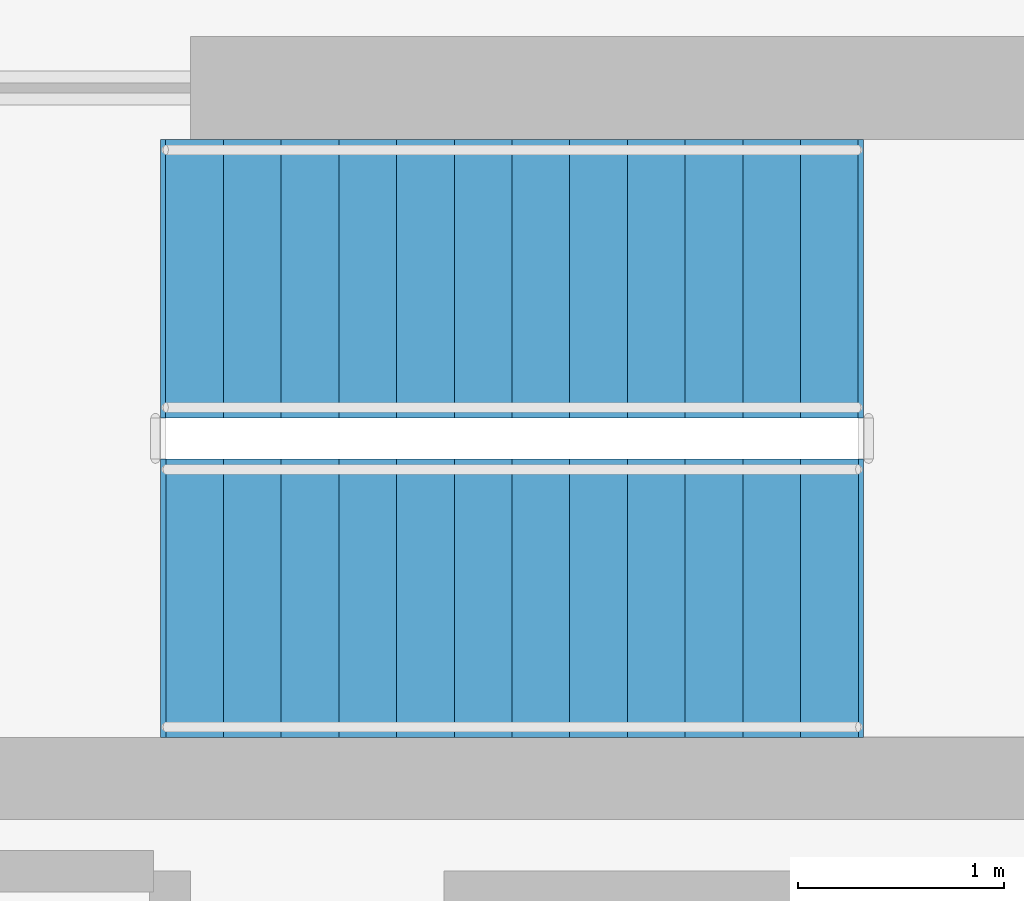
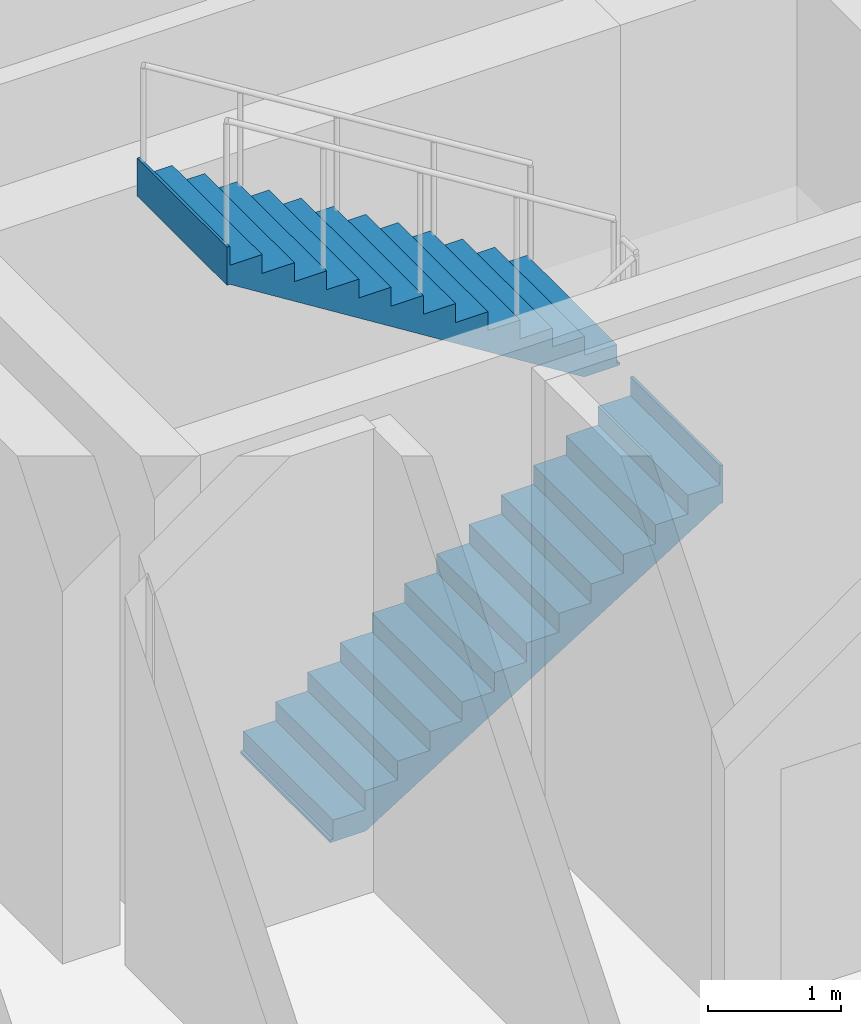
# One storey, part 8 of 10: 2 stair flights, 1 element without a shape of its own.
"""IFC4 building model written with IfcOpenShell, lengths in metres."""

from ifc_helpers import new_model, si_unit, direction, frame, origin, place, context, subcontext, project, spatial, polyline, outline, extrude, material, type_object, element, aggregate, save


model = new_model("IFC4")

# Units and contexts
model_context = context("Model", 3, precision=1e-05, world=origin(), true_north=direction((0.0, 1.0)))
body_context = subcontext(model_context, "Body", "Model", "MODEL_VIEW")
ifc_project = project(units=[si_unit("LENGTHUNIT", "METRE"), si_unit("AREAUNIT", "SQUARE_METRE"), si_unit("VOLUMEUNIT", "CUBIC_METRE"), si_unit("PLANEANGLEUNIT", "RADIAN"), si_unit("MASSUNIT", "GRAM", prefix="KILO")], contexts=[model_context])

# Site, building, storey
site_placement = place(None, origin())
site = spatial("IfcSite", under=ifc_project, at=site_placement, CompositionType="ELEMENT")
building_placement = place(site_placement, origin())
building = spatial("IfcBuilding", under=site, at=building_placement, Name="Barlavira Tower and Art Museum", CompositionType="ELEMENT")
storey_placement = place(building_placement, frame((0.0, 0.0, 314.39990234375)))
storey = spatial("IfcBuildingStorey", under=building, at=storey_placement, Name="L82", CompositionType="ELEMENT", Elevation=314.39990234375)

# Stair, stair flights
ifc_material_1 = material(Name="Concrete C45", Category="concrete")
stair_type = type_object("IfcStairType", Name="Tower North Dog-Leg Exit Stair Assembly Concrete C45", PredefinedType="TWO_QUARTER_TURN_STAIR", material=ifc_material_1)
stair_placement = place(storey_placement, origin())
stair = element("IfcStair", 1, at=stair_placement, inside=storey, type_object=stair_type, Name="L82 Tower North Exit Stair ST-T2", PredefinedType="TWO_QUARTER_TURN_STAIR")
ifc_material_2 = material(Name="Precast concrete C45", Category="concrete")
stair_flight_type = type_object("IfcStairFlightType", Name="Tower North Dog-Leg Exit Stair Precast Flight 1350 Concrete C45", PredefinedType="STRAIGHT", material=ifc_material_2)
stair_flight_1_placement = place(storey_placement, frame((-4.169921875, 5.02490234375, 0.0), z_axis=(0.0, 0.0, 1.0), x_axis=(1.0, 0.0, 0.0)))
stair_flight_1 = element("IfcStairFlight", 2, at=stair_flight_1_placement, type_object=stair_flight_type, Name="ST-T2 flight 1", NumberOfRisers=13, NumberOfTreads=12, PredefinedType="STRAIGHT", RiserHeight=0.173076923, TreadLength=0.28, context=body_context, shape_type="SweptSolid", body=[
    extrude(outline(polyline([(-0.02490234375, 0.0), (0.0, 0.0), (0.0, 0.173095703125), (0.280029296875, 0.173095703125), (0.280029296875, 0.34619140625), (0.56005859375, 0.34619140625), (0.56005859375, 0.519287109375), (0.840087890625, 0.519287109375), (0.840087890625, 0.6923828125), (1.1201171875, 0.6923828125), (1.1201171875, 0.865478515625), (1.39990234375, 0.865478515625), (1.39990234375, 1.03857421875), (1.679931640625, 1.03857421875), (1.679931640625, 1.21142578125), (1.9599609375, 1.21142578125), (1.9599609375, 1.384521484375), (2.239990234375, 1.384521484375), (2.239990234375, 1.5576171875), (2.52001953125, 1.5576171875), (2.52001953125, 1.730712890625), (2.800048828125, 1.730712890625), (2.800048828125, 1.90380859375), (3.080078125, 1.90380859375), (3.080078125, 2.076904296875), (3.360107421875, 2.076904296875), (3.360107421875, 2.25), (3.385009765625, 2.25), (3.385009765625, 1.900634765625), (3.360107421875, 1.900634765625), (0.28515625, -0.02490234375), (-0.02490234375, -0.02490234375), (-0.02490234375, 0.0)])), frame((0.0, 0.675048828125, 0.0), z_axis=(0.0, -1.0, 0.0), x_axis=(1.0, 0.0, 0.0)), (0.0, 0.0, 1.0), 1.35009765625),
])
stair_flight_2_placement = place(storey_placement, frame((-0.81005859375, 6.574951171875, 2.25), z_axis=(0.0, 0.0, 1.0), x_axis=(-1.0, 0.0, 0.0)))
stair_flight_2 = element("IfcStairFlight", 3, at=stair_flight_2_placement, type_object=stair_flight_type, Name="ST-T2 flight 2", NumberOfRisers=13, NumberOfTreads=12, PredefinedType="STRAIGHT", RiserHeight=0.173076923, TreadLength=0.28, context=body_context, shape_type="SweptSolid", body=[
    extrude(outline(polyline([(-0.02490234375, 0.0), (0.0, 0.0), (0.0, 0.173095703125), (0.280029296875, 0.173095703125), (0.280029296875, 0.34619140625), (0.56005859375, 0.34619140625), (0.56005859375, 0.519287109375), (0.840087890625, 0.519287109375), (0.840087890625, 0.6923828125), (1.1201171875, 0.6923828125), (1.1201171875, 0.865478515625), (1.39990234375, 0.865478515625), (1.39990234375, 1.03857421875), (1.679931640625, 1.03857421875), (1.679931640625, 1.21142578125), (1.9599609375, 1.21142578125), (1.9599609375, 1.384521484375), (2.239990234375, 1.384521484375), (2.239990234375, 1.5576171875), (2.52001953125, 1.5576171875), (2.52001953125, 1.730712890625), (2.800048828125, 1.730712890625), (2.800048828125, 1.90380859375), (3.080078125, 1.90380859375), (3.080078125, 2.076904296875), (3.360107421875, 2.076904296875), (3.360107421875, 2.25), (3.385009765625, 2.25), (3.385009765625, 1.900634765625), (3.360107421875, 1.900634765625), (0.28515625, -0.02490234375), (-0.02490234375, -0.02490234375), (-0.02490234375, 0.0)])), frame((0.0, 0.675048828125, 0.0), z_axis=(0.0, -1.0, 0.0), x_axis=(1.0, 0.0, 0.0)), (0.0, 0.0, 1.0), 1.35009765625),
])
aggregate(stair, [stair_flight_1, stair_flight_2])

save(model, "model.ifc")
